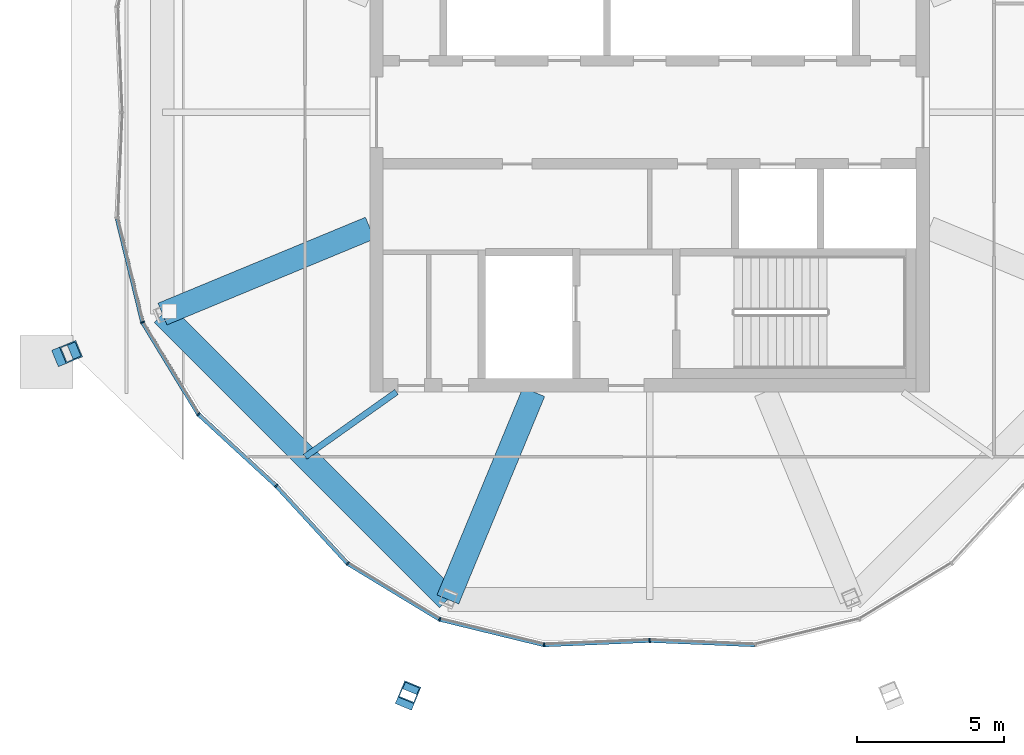
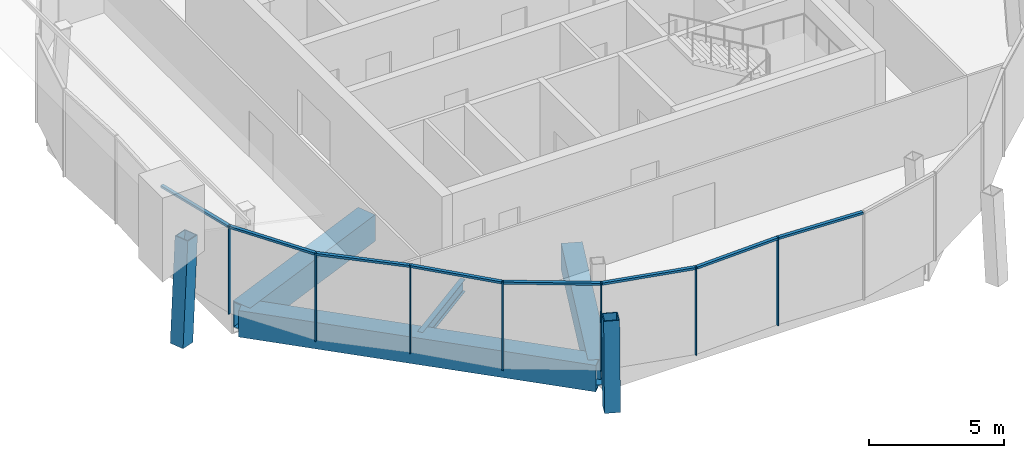
# One storey, part 2 of 22: 17 members, 4 beams, 3 elements without a shape of their own.
"""IFC4 building model written with IfcOpenShell, lengths in metres."""

from ifc_helpers import new_model, si_unit, direction, frame, origin, origin_2d, place, context, subcontext, project, spatial, rectangle, hollow_rectangle, i_section, extrude, material, material_profile, profile_set, type_object, element, aggregate, save


model = new_model("IFC4")

# Units and contexts
model_context = context("Model", 3, precision=1e-05, world=origin(), true_north=direction((0.0, 1.0)))
body_context = subcontext(model_context, "Body", "Model", "MODEL_VIEW")
ifc_project = project(units=[si_unit("LENGTHUNIT", "METRE"), si_unit("AREAUNIT", "SQUARE_METRE"), si_unit("VOLUMEUNIT", "CUBIC_METRE"), si_unit("PLANEANGLEUNIT", "RADIAN"), si_unit("MASSUNIT", "GRAM", prefix="KILO")], contexts=[model_context])

# Site, building, storey
site_placement = place(None, origin())
site = spatial("IfcSite", under=ifc_project, at=site_placement, CompositionType="ELEMENT")
building_placement = place(site_placement, origin())
building = spatial("IfcBuilding", under=site, at=building_placement, Name="Ogive Gate Towers", CompositionType="ELEMENT")
storey_placement = place(building_placement, frame((0.0, 0.0, 298.0)))
storey = spatial("IfcBuildingStorey", under=building, at=storey_placement, Name="L70", CompositionType="ELEMENT", Elevation=298.0)

# Curtain wall, members
ifc_material_1 = material(Name="Pale metal aluminium", Category="aluminium")
curtain_wall_type = type_object("IfcCurtainWallType", Name="Crown lean wall", PredefinedType="NOTDEFINED", material=ifc_material_1)
curtain_wall_1_placement = place(storey_placement, origin())
curtain_wall_1 = element("IfcCurtainWall", 1, at=curtain_wall_1_placement, inside=storey, type_object=curtain_wall_type, Name="CW5 T1 ECW05", PredefinedType="NOTDEFINED")
ifc_material_profile_1 = material_profile(ifc_material_1, rectangle(XDim=0.139892578125, YDim=0.050048828125, at=origin_2d()), Name="50 x 140 aluminium box")
ifc_profile_set_1 = profile_set([ifc_material_profile_1], Name="Pale metal aluminium")
member_type_1 = type_object("IfcMemberType", Name="Crown lean wall mullion 50 x 140", PredefinedType="MULLION", material=ifc_profile_set_1)
member_1_placement = place(storey_placement, frame((-48.6845703125, -12.686279296875, -0.300048828125), z_axis=(0.0, 0.0, 1.0), x_axis=(0.677184245918, 0.735813493407, 0.0)))
member_1 = element("IfcMember", 2, at=member_1_placement, type_object=member_type_1, Name="CW5 mullion", PredefinedType="MULLION", context=body_context, shape_type="SweptSolid", body=[
    extrude(rectangle(XDim=0.139892578125, YDim=0.050048828125, at=origin_2d()), origin(), (0.0, 0.0, 1.0), 4.0),
])
member_2_placement = place(storey_placement, frame((-51.325439453125, -10.255615234375, -0.300048828125), z_axis=(0.0, 0.0, 1.0), x_axis=(0.77351952775, 0.633772467207, 0.0)))
member_2 = element("IfcMember", 3, at=member_2_placement, type_object=member_type_1, Name="CW5 mullion", PredefinedType="MULLION", context=body_context, shape_type="SweptSolid", body=[
    extrude(rectangle(XDim=0.139892578125, YDim=0.050048828125, at=origin_2d()), origin(), (0.0, 0.0, 1.0), 4.0),
])
member_3_placement = place(storey_placement, frame((-53.22216796875, -7.1337890625, -0.300048828125), z_axis=(0.0, 0.0, 1.0), x_axis=(0.923879532511, 0.382683432365, 0.0)))
member_3 = element("IfcMember", 4, at=member_3_placement, type_object=member_type_1, Name="CW5 mullion", PredefinedType="MULLION", context=body_context, shape_type="SweptSolid", body=[
    extrude(rectangle(XDim=0.139892578125, YDim=0.050048828125, at=origin_2d()), origin(), (0.0, 0.0, 1.0), 4.0),
])

curtain_wall_2_placement = place(storey_placement, origin())
curtain_wall_2 = element("IfcCurtainWall", 5, at=curtain_wall_2_placement, inside=storey, type_object=curtain_wall_type, Name="CW5 T1 ECW06", PredefinedType="NOTDEFINED")
member_4_placement = place(storey_placement, frame((-35.998779296875, -17.940185546875, -0.300048828125), z_axis=(0.0, 0.0, 1.0), x_axis=(-0.041439700181, 0.99914100669, 0.0)))
member_4 = element("IfcMember", 6, at=member_4_placement, type_object=member_type_1, Name="CW5 mullion", PredefinedType="MULLION", context=body_context, shape_type="SweptSolid", body=[
    extrude(rectangle(XDim=0.139892578125, YDim=0.050048828125, at=origin_2d()), origin(), (0.0, 0.0, 1.0), 4.0),
])
member_5_placement = place(storey_placement, frame((-39.585205078125, -18.088623046875, -0.300048828125), z_axis=(0.0, 0.0, 1.0), x_axis=(0.098833462017, 0.995103987926, 0.0)))
member_5 = element("IfcMember", 7, at=member_5_placement, type_object=member_type_1, Name="CW5 mullion", PredefinedType="MULLION", context=body_context, shape_type="SweptSolid", body=[
    extrude(rectangle(XDim=0.139892578125, YDim=0.050048828125, at=origin_2d()), origin(), (0.0, 0.0, 1.0), 4.0),
])
member_6_placement = place(storey_placement, frame((-43.1337890625, -17.22216796875, -0.300048828125), z_axis=(0.0, 0.0, 1.0), x_axis=(0.382683432365, 0.923879532511, 0.0)))
member_6 = element("IfcMember", 8, at=member_6_placement, type_object=member_type_1, Name="CW5 mullion", PredefinedType="MULLION", context=body_context, shape_type="SweptSolid", body=[
    extrude(rectangle(XDim=0.139892578125, YDim=0.050048828125, at=origin_2d()), origin(), (0.0, 0.0, 1.0), 4.0),
])
member_7_placement = place(storey_placement, frame((-46.255615234375, -15.325439453125, -0.300048828125), z_axis=(0.0, 0.0, 1.0), x_axis=(0.633772467207, 0.77351952775, 0.0)))
member_7 = element("IfcMember", 9, at=member_7_placement, type_object=member_type_1, Name="CW5 mullion", PredefinedType="MULLION", context=body_context, shape_type="SweptSolid", body=[
    extrude(rectangle(XDim=0.139892578125, YDim=0.050048828125, at=origin_2d()), origin(), (0.0, 0.0, 1.0), 4.0),
])

# Member
ifc_material_profile_2 = material_profile(ifc_material_1, rectangle(XDim=0.139892578125, YDim=0.10009765625, at=origin_2d()), Name="100 x 140 aluminium box")
ifc_profile_set_2 = profile_set([ifc_material_profile_2], Name="Pale metal aluminium")
member_type_2 = type_object("IfcMemberType", Name="Crown lean wall transom 100 x 140", PredefinedType="USERDEFINED", material=ifc_profile_set_2)
member_8_placement = place(storey_placement, frame((-48.702880859375, -12.66943359375, 3.64990234375), z_axis=(-0.735814008941, 0.677183685751, 0.0), x_axis=(-0.677183685751, -0.735814008941, 0.0)))
member_8 = element("IfcMember", 10, at=member_8_placement, type_object=member_type_2, Name="CW5 transom", ObjectType="TRANSOM", PredefinedType="USERDEFINED", context=body_context, shape_type="SweptSolid", body=[
    extrude(rectangle(XDim=0.139892578125, YDim=0.10009765625, at=origin_2d()), origin(), (0.0, 0.0, 1.0), 3.535400390625),
])

member_9_placement = place(storey_placement, frame((-51.3408203125, -10.230712890625, 3.64990234375), z_axis=(-0.519302475553, 0.854590509475, 0.0), x_axis=(-0.854590509475, -0.519302475553, 0.0)))
member_9 = element("IfcMember", 11, at=member_9_placement, type_object=member_type_2, Name="CW5 transom", ObjectType="TRANSOM", PredefinedType="USERDEFINED", context=body_context, shape_type="SweptSolid", body=[
    extrude(rectangle(XDim=0.139892578125, YDim=0.10009765625, at=origin_2d()), origin(), (0.0, 0.0, 1.0), 3.59423828125),
])

member_10_placement = place(storey_placement, frame((-53.2294921875, -7.10498046875, 3.64990234375), z_axis=(-0.237145397056, 0.971474168805, 0.0), x_axis=(-0.971474168805, -0.237145397056, 0.0)))
member_10 = element("IfcMember", 12, at=member_10_placement, type_object=member_type_2, Name="CW5 transom", ObjectType="TRANSOM", PredefinedType="USERDEFINED", context=body_context, shape_type="SweptSolid", body=[
    extrude(rectangle(XDim=0.139892578125, YDim=0.10009765625, at=origin_2d()), origin(), (0.0, 0.0, 1.0), 3.593994140625),
])

aggregate(curtain_wall_1, [member_1, member_2, member_8, member_3, member_9, member_10])

member_11_placement = place(storey_placement, frame((-36.023681640625, -17.941162109375, 3.64990234375), z_axis=(-0.999141192632, -0.041435216725, 0.0), x_axis=(0.041435216725, -0.999141192632, 0.0)))
member_11 = element("IfcMember", 13, at=member_11_placement, type_object=member_type_2, Name="CW5 transom", ObjectType="TRANSOM", PredefinedType="USERDEFINED", context=body_context, shape_type="SweptSolid", body=[
    extrude(rectangle(XDim=0.139892578125, YDim=0.10009765625, at=origin_2d()), origin(), (0.0, 0.0, 1.0), 3.53515625),
])

member_12_placement = place(storey_placement, frame((-39.613525390625, -18.081787109375, 3.64990234375), z_axis=(-0.971474168805, 0.237145397056, 0.0), x_axis=(-0.237145397056, -0.971474168805, 0.0)))
member_12 = element("IfcMember", 14, at=member_12_placement, type_object=member_type_2, Name="CW5 transom", ObjectType="TRANSOM", PredefinedType="USERDEFINED", context=body_context, shape_type="SweptSolid", body=[
    extrude(rectangle(XDim=0.139892578125, YDim=0.10009765625, at=origin_2d()), origin(), (0.0, 0.0, 1.0), 3.593994140625),
])

member_13_placement = place(storey_placement, frame((-43.1591796875, -17.207275390625, 3.64990234375), z_axis=(-0.854590509475, 0.519302475553, 0.0), x_axis=(-0.519302475553, -0.854590509475, 0.0)))
member_13 = element("IfcMember", 15, at=member_13_placement, type_object=member_type_2, Name="CW5 transom", ObjectType="TRANSOM", PredefinedType="USERDEFINED", context=body_context, shape_type="SweptSolid", body=[
    extrude(rectangle(XDim=0.139892578125, YDim=0.10009765625, at=origin_2d()), origin(), (0.0, 0.0, 1.0), 3.59423828125),
])

member_14_placement = place(storey_placement, frame((-46.275390625, -15.30419921875, 3.64990234375), z_axis=(-0.677183685751, 0.735814008941, 0.0), x_axis=(-0.735814008941, -0.677183685751, 0.0)))
member_14 = element("IfcMember", 16, at=member_14_placement, type_object=member_type_2, Name="CW5 transom", ObjectType="TRANSOM", PredefinedType="USERDEFINED", context=body_context, shape_type="SweptSolid", body=[
    extrude(rectangle(XDim=0.139892578125, YDim=0.10009765625, at=origin_2d()), origin(), (0.0, 0.0, 1.0), 3.535400390625),
])

aggregate(curtain_wall_2, [member_4, member_5, member_11, member_6, member_12, member_7, member_13, member_14])

# Curtain wall, member
curtain_wall_3_placement = place(storey_placement, origin())
curtain_wall_3 = element("IfcCurtainWall", 17, at=curtain_wall_3_placement, inside=storey, type_object=curtain_wall_type, Name="CW5 T1 ECW07", PredefinedType="NOTDEFINED")
member_15_placement = place(storey_placement, frame((-32.444091796875, -18.087646484375, 3.64990234375), z_axis=(-0.999141192632, 0.041435216725, 0.0), x_axis=(-0.041435216725, -0.999141192632, 0.0)))
member_15 = element("IfcMember", 18, at=member_15_placement, type_object=member_type_2, Name="CW5 transom", ObjectType="TRANSOM", PredefinedType="USERDEFINED", context=body_context, shape_type="SweptSolid", body=[
    extrude(rectangle(XDim=0.139892578125, YDim=0.10009765625, at=origin_2d()), origin(), (0.0, 0.0, 1.0), 3.53515625),
])
aggregate(curtain_wall_3, [member_15])

# Members
ifc_material_2 = material(Name="Steel SM460", Category="steel")
ifc_material_profile_3 = material_profile(ifc_material_2, hollow_rectangle(XDim=0.60009765625, YDim=0.60009765625, WallThickness=0.0400390625, at=origin_2d()), Name="BX 600x600x40")
ifc_profile_set_3 = profile_set([ifc_material_profile_3], Name="Steel SM460")
member_type_3 = type_object("IfcMemberType", Name="Crown rib BX 600x600x40", PredefinedType="MEMBER", material=ifc_profile_set_3)
member_16_placement = place(storey_placement, frame((-55.919189453125, -8.250732421875, 0.0), z_axis=(0.056421001564, 0.023344836427, 0.998134103813), x_axis=(-0.382326833999, 0.924027159776, 0.0)))
element("IfcMember", 19, at=member_16_placement, inside=storey, type_object=member_type_3, Name="T1/L70/STR005", PredefinedType="MEMBER", context=body_context, shape_type="SweptSolid", body=[
    extrude(hollow_rectangle(XDim=0.60009765625, YDim=0.60009765625, WallThickness=0.0400390625, at=origin_2d()), origin(), (0.0, 0.0, 1.0), 4.716552734375),
])
member_17_placement = place(storey_placement, frame((-44.250732421875, -19.919189453125, 0.0), z_axis=(0.023332863722, 0.056413137875, 0.99813482824), x_axis=(-0.924077607992, 0.382204885379, 0.0)))
element("IfcMember", 20, at=member_17_placement, inside=storey, type_object=member_type_3, Name="T1/L70/STR006", PredefinedType="MEMBER", context=body_context, shape_type="SweptSolid", body=[
    extrude(hollow_rectangle(XDim=0.60009765625, YDim=0.60009765625, WallThickness=0.0400390625, at=origin_2d()), origin(), (0.0, 0.0, 1.0), 4.007568359375),
])

# Beams
ifc_material_profile_4 = material_profile(ifc_material_2, hollow_rectangle(XDim=0.800048828125, YDim=1.199951171875, WallThickness=0.050048828125, at=origin_2d()), Name="BX 1200x800x50")
ifc_profile_set_4 = profile_set([ifc_material_profile_4], Name="Steel SM460")
beam_type_1 = type_object("IfcBeamType", Name="Edge girder BX 1200x800x50", PredefinedType="BEAM", material=ifc_profile_set_4)
beam_1_placement = place(storey_placement, frame((-52.546630859375, -6.853759765625, -0.89990234375), z_axis=(0.707106781187, -0.707106781187, 0.0), x_axis=(0.707106781187, 0.707106781187, 0.0)))
element("IfcBeam", 21, at=beam_1_placement, inside=storey, type_object=beam_type_1, Name="T1/L70/SBM017", PredefinedType="BEAM", context=body_context, shape_type="SweptSolid", body=[
    extrude(hollow_rectangle(XDim=0.800048828125, YDim=1.199951171875, WallThickness=0.050048828125, at=origin_2d()), origin(), (0.0, 0.0, 1.0), 13.707763671875),
])
ifc_material_3 = material(Name="Steel SM355", Category="steel")
ifc_material_profile_5 = material_profile(ifc_material_3, i_section(OverallWidth=0.2099609375, OverallDepth=0.550048828125, WebThickness=0.010986328125, FlangeThickness=0.01708984375, FilletRadius=0.02392578125, at=origin_2d()), Name="IPE 550")
ifc_profile_set_5 = profile_set([ifc_material_profile_5], Name="Steel SM355")
beam_type_2 = type_object("IfcBeamType", Name="Radial floor beam IPE 550", PredefinedType="BEAM", material=ifc_profile_set_5)
beam_2_placement = place(storey_placement, frame((-44.60009765625, -9.5, -0.574951171875), z_axis=(-0.815491500037, -0.578769050113, 0.0), x_axis=(0.578769050113, -0.815491500037, 0.0)))
element("IfcBeam", 22, at=beam_2_placement, inside=storey, type_object=beam_type_2, Name="T1/L70/SBM002", PredefinedType="BEAM", context=body_context, shape_type="SweptSolid", body=[
    extrude(i_section(OverallWidth=0.2099609375, OverallDepth=0.550048828125, WebThickness=0.010986328125, FlangeThickness=0.01708984375, FilletRadius=0.02392578125, at=origin_2d()), origin(), (0.0, 0.0, 1.0), 3.801513671875),
])
ifc_material_profile_6 = material_profile(ifc_material_2, hollow_rectangle(XDim=0.800048828125, YDim=1.199951171875, WallThickness=0.050048828125, at=origin_2d()), Name="BX 1200x800x50")
ifc_profile_set_6 = profile_set([ifc_material_profile_6], Name="Steel SM460")
beam_type_3 = type_object("IfcBeamType", Name="Transfer radial beam BX 1200x800x50", PredefinedType="BEAM", material=ifc_profile_set_6)
for number, where, z_axis, x_axis, name in (
    (23, (-45.5, -3.93505859375, -0.89990234375), (-0.923884580387, -0.382671245488, 0.0), (0.382671245488, -0.923884580387, 0.0), "T1/L70/SBM001"),
    (24, (-39.93505859375, -9.5, -0.89990234375), (-0.382671245488, -0.923884580387, 0.0), (0.923884580387, -0.382671245488, 0.0), "T1/L70/SBM003"),
):
    element("IfcBeam", number, at=place(storey_placement, frame(where, z_axis=z_axis, x_axis=x_axis)), inside=storey, type_object=beam_type_3, Name=name, PredefinedType="BEAM", context=body_context, shape_type="SweptSolid", body=[
        extrude(hollow_rectangle(XDim=0.800048828125, YDim=1.199951171875, WallThickness=0.050048828125, at=origin_2d()), origin(), (0.0, 0.0, 1.0), 7.627197265625),
    ])

save(model, "model.ifc")
